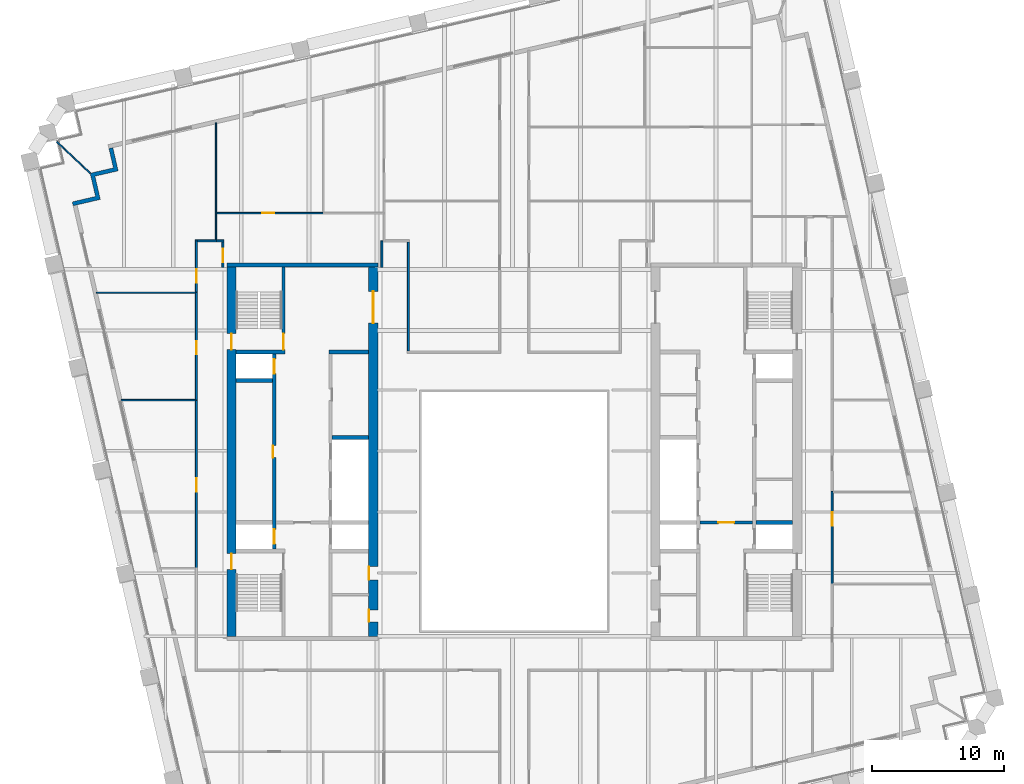
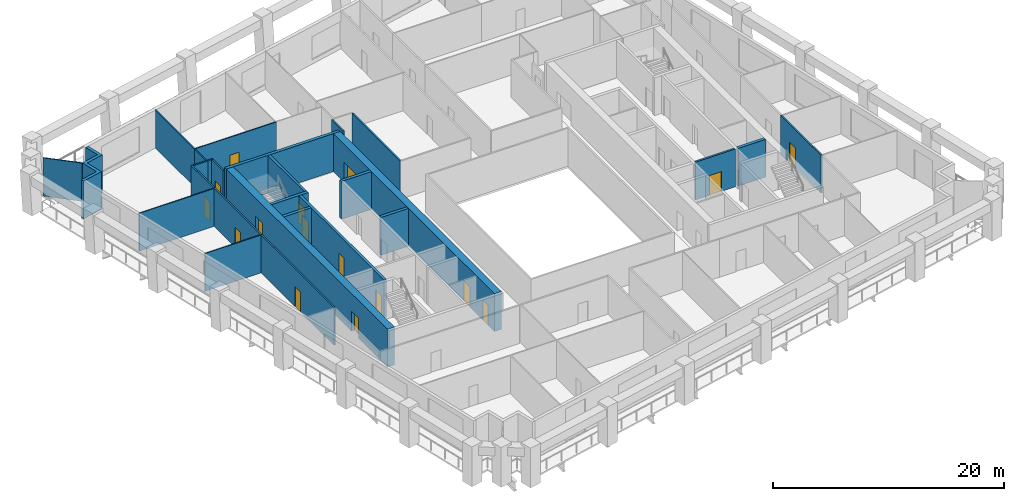
# One storey, part 6 of 10: 27 walls, 16 doors, 16 openings.
"""IFC4 building model written with IfcOpenShell, lengths in metres."""

from ifc_helpers import new_model, si_unit, direction, frame, frame_2d, origin, place, context, subcontext, project, spatial, polyline, rectangle, outline, extrude, material, layer, layer_set, type_object, element, fill, save


model = new_model("IFC4")

# Units and contexts
model_context = context("Model", 3, precision=1e-05, world=origin(), true_north=direction((0.0, 1.0)))
body_context = subcontext(model_context, "Body", "Model", "MODEL_VIEW")
ifc_project = project(units=[si_unit("LENGTHUNIT", "METRE"), si_unit("AREAUNIT", "SQUARE_METRE"), si_unit("VOLUMEUNIT", "CUBIC_METRE"), si_unit("PLANEANGLEUNIT", "RADIAN"), si_unit("MASSUNIT", "GRAM", prefix="KILO")], contexts=[model_context])

# Site, building, storey
site_placement = place(None, origin())
site = spatial("IfcSite", under=ifc_project, at=site_placement, CompositionType="ELEMENT")
building_placement = place(site_placement, origin())
building = spatial("IfcBuilding", under=site, at=building_placement, Name="Ogive Exchange Tower", CompositionType="ELEMENT")
storey_placement = place(building_placement, frame((0.0, 0.0, 180.0)))
storey = spatial("IfcBuildingStorey", under=building, at=storey_placement, Name="L39", CompositionType="ELEMENT", Elevation=180.0)

# Wall
ifc_material_1 = material(Name="Gypsum board partition")
ifc_layer_1 = layer(ifc_material_1, 0.300048828125)
ifc_layer_set_1 = layer_set([ifc_layer_1], Name="Core room partition 300 gypsum")
wall_type_1 = type_object("IfcWallType", Name="Core room partition 300 gypsum", PredefinedType="PARTITIONING", material=ifc_layer_set_1)
wall_1_placement = place(storey_placement, frame((-14.0, 19.0, 0.0), z_axis=(0.0, 0.0, 1.0), x_axis=(1.0, 0.0, 0.0)))
element("IfcWall", 1, at=wall_1_placement, inside=storey, type_object=wall_type_1, Name="W row B room end wall 7", PredefinedType="PARTITIONING", context=body_context, shape_type="SweptSolid", body=[
    extrude(rectangle(XDim=3.0, YDim=0.300048828125, at=frame_2d((1.5, 0.0))), origin(), (0.0, 0.0, 1.0), 4.0),
])

# Wall, opening, door
ifc_material_2 = material(Name="Fire partition EI 60 150")
ifc_layer_2 = layer(ifc_material_2, 0.14990234375)
ifc_layer_set_2 = layer_set([ifc_layer_2], Name="Fire partition EI 60 150")
wall_type_2 = type_object("IfcWallType", Name="Fire partition EI 60 150", PredefinedType="PARTITIONING", material=ifc_layer_set_2)
wall_2_placement = place(storey_placement, frame((-24.0, 2.68994140625, 0.0), z_axis=(0.0, 0.0, 1.0), x_axis=(0.0, 1.0, 0.0)))
wall_2 = element("IfcWall", 2, at=wall_2_placement, inside=storey, type_object=wall_type_2, Name="L39-PWL-003", PredefinedType="PARTITIONING", context=body_context, shape_type="SweptSolid", body=[
    extrude(rectangle(XDim=12.739990234375, YDim=0.14990234375, at=frame_2d((6.3701171875, 0.0))), origin(), (0.0, 0.0, 1.0), 4.0),
])
opening_1_placement = place(wall_2_placement, frame((5.7900390625, 0.0, 0.0)))
opening_1 = element("IfcOpeningElement", 3, at=opening_1_placement, cuts=wall_2, Name="Opening L39-I10", PredefinedType="OPENING", context=body_context, shape_type="SweptSolid", body=[
    extrude(rectangle(XDim=1.0, YDim=2.10009765625, at=frame_2d((0.5, 1.050048828125))), frame((0.0, 0.0849609375, 0.0), z_axis=(0.0, -1.0, 0.0), x_axis=(1.0, 0.0, 0.0)), (0.0, 0.0, 1.0), 0.169921875),
])
ifc_material_3 = material(Name="Fire door FD 30S 1000 x 2100")
door_type_1 = type_object("IfcDoorType", Name="Fire door FD 30S 1000 x 2100", OperationType="NOTDEFINED", PredefinedType="DOOR", material=ifc_material_3)
door_1_placement = place(opening_1_placement, origin())
door_1 = element("IfcDoor", 4, at=door_1_placement, inside=storey, type_object=door_type_1, Name="L39-IDR-010", ObjectType="DT3", OperationType="SINGLE_SWING_LEFT", OverallHeight=2.10009765625, OverallWidth=1.0, PredefinedType="DOOR", context=body_context, shape_type="SweptSolid", body=[
    extrude(rectangle(XDim=1.0, YDim=2.10009765625, at=frame_2d((0.5, 1.050048828125))), frame((0.0, 0.02490234375, 0.0), z_axis=(0.0, -1.0, 0.0), x_axis=(1.0, 0.0, 0.0)), (0.0, 0.0, 1.0), 0.050048828125),
])
fill(opening_1, door_1)

wall_3_placement = place(storey_placement, frame((-24.0, 15.3798828125, 0.0), z_axis=(0.0, 0.0, 1.0), x_axis=(0.0, 1.0, 0.0)))
wall_3 = element("IfcWall", 5, at=wall_3_placement, inside=storey, type_object=wall_type_2, Name="L39-PWL-005", PredefinedType="PARTITIONING", context=body_context, shape_type="SweptSolid", body=[
    extrude(rectangle(XDim=8.16015625, YDim=0.14990234375, at=frame_2d((4.080078125, 0.0))), origin(), (0.0, 0.0, 1.0), 4.0),
])
opening_2_placement = place(wall_3_placement, frame((3.4599609375, 0.0, 0.0)))
opening_2 = element("IfcOpeningElement", 6, at=opening_2_placement, cuts=wall_3, Name="Opening L39-I09", PredefinedType="OPENING", context=body_context, shape_type="SweptSolid", body=[
    extrude(rectangle(XDim=1.0, YDim=2.10009765625, at=frame_2d((0.5, 1.050048828125))), frame((0.0, 0.0849609375, 0.0), z_axis=(0.0, -1.0, 0.0), x_axis=(1.0, 0.0, 0.0)), (0.0, 0.0, 1.0), 0.169921875),
])
door_2_placement = place(opening_2_placement, origin())
door_2 = element("IfcDoor", 7, at=door_2_placement, inside=storey, type_object=door_type_1, Name="L39-IDR-009", ObjectType="DT3", OperationType="SINGLE_SWING_RIGHT", OverallHeight=2.10009765625, OverallWidth=1.0, PredefinedType="DOOR", context=body_context, shape_type="SweptSolid", body=[
    extrude(rectangle(XDim=1.0, YDim=2.10009765625, at=frame_2d((0.5, 1.050048828125))), frame((0.0, 0.02490234375, 0.0), z_axis=(0.0, -1.0, 0.0), x_axis=(1.0, 0.0, 0.0)), (0.0, 0.0, 1.0), 0.050048828125),
])
fill(opening_2, door_2)

wall_4_placement = place(storey_placement, frame((-24.0, 23.5400390625, 0.0), z_axis=(0.0, 0.0, 1.0), x_axis=(0.0, 1.0, 0.0)))
wall_4 = element("IfcWall", 8, at=wall_4_placement, inside=storey, type_object=wall_type_2, Name="L39-PWL-007", PredefinedType="PARTITIONING", context=body_context, shape_type="SweptSolid", body=[
    extrude(rectangle(XDim=3.93505859375, YDim=0.14990234375, at=frame_2d((1.967529296875, 0.0))), origin(), (0.0, 0.0, 1.0), 4.0),
])
opening_3_placement = place(wall_4_placement, frame((0.7099609375, 0.0, 0.0)))
opening_3 = element("IfcOpeningElement", 9, at=opening_3_placement, cuts=wall_4, Name="Opening L39-I08", PredefinedType="OPENING", context=body_context, shape_type="SweptSolid", body=[
    extrude(rectangle(XDim=1.0, YDim=2.10009765625, at=frame_2d((0.5, 1.050048828125))), frame((0.0, 0.0849609375, 0.0), z_axis=(0.0, -1.0, 0.0), x_axis=(1.0, 0.0, 0.0)), (0.0, 0.0, 1.0), 0.169921875),
])
door_3_placement = place(opening_3_placement, origin())
door_3 = element("IfcDoor", 10, at=door_3_placement, inside=storey, type_object=door_type_1, Name="L39-IDR-008", ObjectType="DT3", OperationType="SINGLE_SWING_RIGHT", OverallHeight=2.10009765625, OverallWidth=1.0, PredefinedType="DOOR", context=body_context, shape_type="SweptSolid", body=[
    extrude(rectangle(XDim=1.0, YDim=2.10009765625, at=frame_2d((0.5, 1.050048828125))), frame((0.0, 0.02490234375, 0.0), z_axis=(0.0, -1.0, 0.0), x_axis=(1.0, 0.0, 0.0)), (0.0, 0.0, 1.0), 0.050048828125),
])
fill(opening_3, door_3)

# Walls
wall_5_placement = place(storey_placement, frame((-23.925048828125, 27.39990234375, 0.0), z_axis=(0.0, 0.0, 1.0), x_axis=(1.0, 0.0, 0.0)))
element("IfcWall", 11, at=wall_5_placement, inside=storey, type_object=wall_type_2, Name="L39-PWL-008", PredefinedType="PARTITIONING", context=body_context, shape_type="SweptSolid", body=[
    extrude(rectangle(XDim=1.455078125, YDim=0.14990234375, at=frame_2d((0.7275390625, 0.0))), origin(), (0.0, 0.0, 1.0), 4.0),
])
wall_6_placement = place(storey_placement, frame((-22.469970703125, 27.39990234375, 0.0), z_axis=(0.0, 0.0, 1.0), x_axis=(1.0, 0.0, 0.0)))
element("IfcWall", 12, at=wall_6_placement, inside=storey, type_object=wall_type_2, Name="L39-PWL-010", PredefinedType="PARTITIONING", context=body_context, shape_type="SweptSolid", body=[
    extrude(rectangle(XDim=0.544921875, YDim=0.14990234375, at=frame_2d((0.2724609375, 0.0))), origin(), (0.0, 0.0, 1.0), 4.0),
])

# Wall, opening, door
wall_7_placement = place(storey_placement, frame((-22.0, 27.324951171875, 0.0), z_axis=(0.0, 0.0, 1.0), x_axis=(0.0, -1.0, 0.0)))
wall_7 = element("IfcWall", 13, at=wall_7_placement, inside=storey, type_object=wall_type_2, Name="L39-PWL-013", PredefinedType="PARTITIONING", context=body_context, shape_type="SweptSolid", body=[
    extrude(rectangle(XDim=1.925048828125, YDim=0.14990234375, at=frame_2d((0.96240234375, 0.0))), origin(), (0.0, 0.0, 1.0), 4.0),
])
opening_4_placement = place(wall_7_placement, frame((0.52490234375, 0.0, 0.0)))
opening_4 = element("IfcOpeningElement", 14, at=opening_4_placement, cuts=wall_7, Name="Opening L39-I05", PredefinedType="OPENING", context=body_context, shape_type="SweptSolid", body=[
    extrude(rectangle(XDim=1.0, YDim=2.10009765625, at=frame_2d((0.5, 1.050048828125))), frame((0.0, 0.0849609375, 0.0), z_axis=(0.0, -1.0, 0.0), x_axis=(1.0, 0.0, 0.0)), (0.0, 0.0, 1.0), 0.169921875),
])
door_4_placement = place(opening_4_placement, origin())
door_4 = element("IfcDoor", 15, at=door_4_placement, inside=storey, type_object=door_type_1, Name="L39-IDR-005", ObjectType="DT3", OperationType="SINGLE_SWING_RIGHT", OverallHeight=2.10009765625, OverallWidth=1.0, PredefinedType="DOOR", context=body_context, shape_type="SweptSolid", body=[
    extrude(rectangle(XDim=1.0, YDim=2.10009765625, at=frame_2d((0.5, 1.050048828125))), frame((0.0, 0.02490234375, 0.0), z_axis=(0.0, -1.0, 0.0), x_axis=(1.0, 0.0, 0.0)), (0.0, 0.0, 1.0), 0.050048828125),
])
fill(opening_4, door_4)

# Walls
wall_8_placement = place(storey_placement, frame((-10.0, 25.39990234375, 0.0), z_axis=(0.0, 0.0, 1.0), x_axis=(0.0, 1.0, 0.0)))
element("IfcWall", 16, at=wall_8_placement, inside=storey, type_object=wall_type_2, Name="L39-PWL-019", PredefinedType="PARTITIONING", context=body_context, shape_type="SweptSolid", body=[
    extrude(rectangle(XDim=2.0, YDim=0.14990234375, at=frame_2d((1.0, 0.0))), origin(), (0.0, 0.0, 1.0), 4.0),
])
wall_9_placement = place(storey_placement, frame((-8.0, 27.324951171875, 0.0), z_axis=(0.0, 0.0, 1.0), x_axis=(0.0, -1.0, 0.0)))
element("IfcWall", 17, at=wall_9_placement, inside=storey, type_object=wall_type_2, Name="L39-PWL-030", PredefinedType="PARTITIONING", context=body_context, shape_type="SweptSolid", body=[
    extrude(rectangle(XDim=8.25, YDim=0.14990234375, at=frame_2d((4.125, 0.0))), origin(), (0.0, 0.0, 1.0), 4.0),
])

# Wall, opening, door
wall_10_placement = place(storey_placement, frame((24.0, 8.5, 0.0), z_axis=(0.0, 0.0, 1.0), x_axis=(0.0, -1.0, 0.0)))
wall_10 = element("IfcWall", 18, at=wall_10_placement, inside=storey, type_object=wall_type_2, Name="L39-PWL-077", PredefinedType="PARTITIONING", context=body_context, shape_type="SweptSolid", body=[
    extrude(rectangle(XDim=6.989990234375, YDim=0.14990234375, at=frame_2d((3.4951171875, 0.0))), origin(), (0.0, 0.0, 1.0), 4.0),
])
opening_5_placement = place(wall_10_placement, frame((1.590087890625, 0.0, 0.0)))
opening_5 = element("IfcOpeningElement", 19, at=opening_5_placement, cuts=wall_10, Name="Opening L39-I20", PredefinedType="OPENING", context=body_context, shape_type="SweptSolid", body=[
    extrude(rectangle(XDim=1.0, YDim=2.10009765625, at=frame_2d((0.5, 1.050048828125))), frame((0.0, 0.0849609375, 0.0), z_axis=(0.0, -1.0, 0.0), x_axis=(1.0, 0.0, 0.0)), (0.0, 0.0, 1.0), 0.169921875),
])
door_5_placement = place(opening_5_placement, origin())
door_5 = element("IfcDoor", 20, at=door_5_placement, inside=storey, type_object=door_type_1, Name="L39-IDR-020", ObjectType="DT3", OperationType="SINGLE_SWING_RIGHT", OverallHeight=2.10009765625, OverallWidth=1.0, PredefinedType="DOOR", context=body_context, shape_type="SweptSolid", body=[
    extrude(rectangle(XDim=1.0, YDim=2.10009765625, at=frame_2d((0.5, 1.050048828125))), frame((0.0, 0.02490234375, 0.0), z_axis=(0.0, -1.0, 0.0), x_axis=(1.0, 0.0, 0.0)), (0.0, 0.0, 1.0), 0.050048828125),
])
fill(opening_5, door_5)

# Walls
ifc_material_4 = material(Name="Precast concrete C40/50", Category="concrete")
ifc_layer_3 = layer(ifc_material_4, 0.300048828125)
ifc_layer_set_3 = layer_set([ifc_layer_3], Name="Limestone-faced wall 300")
wall_type_3 = type_object("IfcWallType", Name="Limestone-faced wall 300", PredefinedType="STANDARD", material=ifc_layer_set_3)
wall_11_placement = place(storey_placement, origin())
element("IfcWall", 21, at=wall_11_placement, inside=storey, type_object=wall_type_3, Name="External corner wall C3", PredefinedType="STANDARD", context=body_context, shape_type="SweptSolid", body=[
    extrude(outline(polyline([(-31.616943359375, 30.755615234375), (-32.02197265625, 32.509521484375), (-30.26806640625, 32.914306640625), (-30.60546875, 34.3759765625), (-30.31298828125, 34.443359375), (-29.908203125, 32.689697265625), (-31.662109375, 32.28466796875), (-31.257080078125, 30.53076171875), (-33.30322265625, 30.058349609375), (-33.370849609375, 30.3505859375), (-31.616943359375, 30.755615234375)])), origin(), (0.0, 0.0, 1.0), 4.0),
])
ifc_material_5 = material(Name="Laminated safety glass in steel frame", Category="steel")
ifc_layer_4 = layer(ifc_material_5, 0.10009765625)
ifc_layer_set_4 = layer_set([ifc_layer_4], Name="Loggia end screen 100")
wall_type_4 = type_object("IfcWallType", Name="Loggia end screen 100", PredefinedType="STANDARD", material=ifc_layer_set_4)
wall_12_placement = place(storey_placement, frame((-32.02197265625, 32.509521484375, -0.050048828125), z_axis=(0.0, 0.0, 1.0), x_axis=(-0.726757236711, 0.686894401555, 0.0)))
element("IfcWall", 22, at=wall_12_placement, inside=storey, type_object=wall_type_4, Name="Loggia end screen C3", PredefinedType="STANDARD", context=body_context, shape_type="SweptSolid", body=[
    extrude(rectangle(XDim=3.466552734375, YDim=0.10009765625, at=frame_2d((1.7333984375, 0.0))), origin(), (0.0, 0.0, 1.0), 4.050048828125),
])
ifc_material_6 = material(Name="Partition 100 gypsum")
ifc_layer_5 = layer(ifc_material_6, 0.10009765625)
ifc_layer_set_5 = layer_set([ifc_layer_5], Name="Partition 100 gypsum")
wall_type_5 = type_object("IfcWallType", Name="Partition 100 gypsum", PredefinedType="PARTITIONING", material=ifc_layer_set_5)
wall_13_placement = place(storey_placement, frame((-24.074951171875, 15.3798828125, 0.0), z_axis=(0.0, 0.0, 1.0), x_axis=(-1.0, 0.0, 0.0)))
element("IfcWall", 23, at=wall_13_placement, inside=storey, type_object=wall_type_5, Name="L39-PWL-004", PredefinedType="PARTITIONING", context=body_context, shape_type="SweptSolid", body=[
    extrude(rectangle(XDim=5.614013671875, YDim=0.10009765625, at=frame_2d((2.80712890625, 0.0))), origin(), (0.0, 0.0, 1.0), 4.0),
])
wall_14_placement = place(storey_placement, frame((-24.074951171875, 23.489990234375, 0.0), z_axis=(0.0, 0.0, 1.0), x_axis=(-1.0, 0.0, 0.0)))
element("IfcWall", 24, at=wall_14_placement, inside=storey, type_object=wall_type_5, Name="L39-PWL-006", PredefinedType="PARTITIONING", context=body_context, shape_type="SweptSolid", body=[
    extrude(rectangle(XDim=7.487060546875, YDim=0.10009765625, at=frame_2d((3.74365234375, 0.0))), origin(), (0.0, 0.0, 1.0), 4.0),
])
wall_15_placement = place(storey_placement, frame((-22.52001953125, 27.47509765625, 0.0), z_axis=(0.0, 0.0, 1.0), x_axis=(0.0, 1.0, 0.0)))
element("IfcWall", 25, at=wall_15_placement, inside=storey, type_object=wall_type_5, Name="L39-PWL-009", PredefinedType="PARTITIONING", context=body_context, shape_type="SweptSolid", body=[
    extrude(rectangle(XDim=1.974853515625, YDim=0.10009765625, at=frame_2d((0.9873046875, 0.0))), origin(), (0.0, 0.0, 1.0), 4.0),
])
wall_16_placement = place(storey_placement, frame((-22.52001953125, 29.449951171875, 0.0), z_axis=(0.0, 0.0, 1.0), x_axis=(0.0, 1.0, 0.0)))
element("IfcWall", 26, at=wall_16_placement, inside=storey, type_object=wall_type_5, Name="L39-PWL-011", PredefinedType="PARTITIONING", context=body_context, shape_type="SweptSolid", body=[
    extrude(rectangle(XDim=6.875, YDim=0.10009765625, at=frame_2d((3.4375, 0.0))), origin(), (0.0, 0.0, 1.0), 4.0),
])

# Wall, opening, door
wall_17_placement = place(storey_placement, frame((-22.469970703125, 29.5, 0.0), z_axis=(0.0, 0.0, 1.0), x_axis=(1.0, 0.0, 0.0)))
wall_17 = element("IfcWall", 27, at=wall_17_placement, inside=storey, type_object=wall_type_5, Name="L39-PWL-012", PredefinedType="PARTITIONING", context=body_context, shape_type="SweptSolid", body=[
    extrude(rectangle(XDim=8.090087890625, YDim=0.10009765625, at=frame_2d((4.044921875, 0.0))), origin(), (0.0, 0.0, 1.0), 4.0),
])
opening_6_placement = place(wall_17_placement, frame((3.43994140625, 0.0, 0.0)))
opening_6 = element("IfcOpeningElement", 28, at=opening_6_placement, cuts=wall_17, Name="Opening L39-I07", PredefinedType="OPENING", context=body_context, shape_type="SweptSolid", body=[
    extrude(rectangle(XDim=0.89990234375, YDim=2.10009765625, at=frame_2d((0.449951171875, 1.050048828125))), frame((0.0, 0.06005859375, 0.0), z_axis=(0.0, -1.0, 0.0), x_axis=(1.0, 0.0, 0.0)), (0.0, 0.0, 1.0), 0.1201171875),
])
ifc_material_7 = material(Name="Door 900 x 2100")
door_type_2 = type_object("IfcDoorType", Name="Door 900 x 2100", OperationType="NOTDEFINED", PredefinedType="DOOR", material=ifc_material_7)
door_6_placement = place(opening_6_placement, frame((0.89990234375, 0.0, 0.0), z_axis=(0.0, 0.0, 1.0), x_axis=(-1.0, 0.0, 0.0)))
door_6 = element("IfcDoor", 29, at=door_6_placement, inside=storey, type_object=door_type_2, Name="L39-IDR-007", ObjectType="DT1", OperationType="SINGLE_SWING_LEFT", OverallHeight=2.10009765625, OverallWidth=0.89990234375, PredefinedType="DOOR", context=body_context, shape_type="SweptSolid", body=[
    extrude(rectangle(XDim=0.89990234375, YDim=2.10009765625, at=frame_2d((0.449951171875, 1.050048828125))), frame((0.0, 0.02490234375, 0.0), z_axis=(0.0, -1.0, 0.0), x_axis=(1.0, 0.0, 0.0)), (0.0, 0.0, 1.0), 0.050048828125),
])
fill(opening_6, door_6)

ifc_material_8 = material(Name="Concrete C70/85", Category="concrete")
ifc_layer_6 = layer(ifc_material_8, 0.199951171875)
ifc_layer_set_6 = layer_set([ifc_layer_6], Name="RC core wall 200 C70/85")
wall_type_6 = type_object("IfcWallType", Name="RC core wall 200 C70/85", PredefinedType="SHEAR", material=ifc_layer_set_6)
wall_18_placement = place(storey_placement, frame((14.0, 6.142822265625, 0.0), z_axis=(0.0, 0.0, 1.0), x_axis=(1.0, 0.0, 0.0)))
wall_18 = element("IfcWall", 30, at=wall_18_placement, inside=storey, type_object=wall_type_6, Name="E firefighting lobby wall", PredefinedType="SHEAR", context=body_context, shape_type="SweptSolid", body=[
    extrude(rectangle(XDim=4.0, YDim=0.199951171875, at=frame_2d((2.0, 0.0))), origin(), (0.0, 0.0, 1.0), 4.0),
])
opening_7_placement = place(wall_18_placement, frame((1.39990234375, 0.0, 0.0)))
opening_7 = element("IfcOpeningElement", 31, at=opening_7_placement, cuts=wall_18, Name="Opening L39-C27", PredefinedType="OPENING", context=body_context, shape_type="SweptSolid", body=[
    extrude(rectangle(XDim=1.199951171875, YDim=2.10009765625, at=frame_2d((0.60009765625, 1.050048828125))), frame((0.0, 0.10986328125, 0.0), z_axis=(0.0, -1.0, 0.0), x_axis=(1.0, 0.0, 0.0)), (0.0, 0.0, 1.0), 0.219970703125),
])
ifc_material_9 = material(Name="Steel fire door", Category="steel")
door_type_3 = type_object("IfcDoorType", Name="Firefighting lobby door FD60 1200 x 2100", OperationType="NOTDEFINED", PredefinedType="DOOR", material=ifc_material_9)
door_7_placement = place(opening_7_placement, frame((1.199951171875, 0.0, 0.0), z_axis=(0.0, 0.0, 1.0), x_axis=(-1.0, 0.0, 0.0)))
door_7 = element("IfcDoor", 32, at=door_7_placement, inside=storey, type_object=door_type_3, Name="Firefighting lobby door", ObjectType="CD3", OperationType="SINGLE_SWING_RIGHT", OverallHeight=2.10009765625, OverallWidth=1.199951171875, PredefinedType="DOOR", context=body_context, shape_type="SweptSolid", body=[
    extrude(rectangle(XDim=1.199951171875, YDim=2.10009765625, at=frame_2d((0.60009765625, 1.050048828125))), frame((0.0, 0.02490234375, 0.0), z_axis=(0.0, -1.0, 0.0), x_axis=(1.0, 0.0, 0.0)), (0.0, 0.0, 1.0), 0.050048828125),
])
fill(opening_7, door_7)

ifc_layer_7 = layer(ifc_material_8, 0.25)
ifc_layer_set_7 = layer_set([ifc_layer_7], Name="RC core wall 250 C70/85")
wall_type_7 = type_object("IfcWallType", Name="RC core wall 250 C70/85", PredefinedType="SHEAR", material=ifc_layer_set_7)
wall_19_placement = place(storey_placement, frame((-17.425048828125, 19.14990234375, 0.0), z_axis=(0.0, 0.0, 1.0), x_axis=(0.0, 1.0, 0.0)))
wall_19 = element("IfcWall", 33, at=wall_19_placement, inside=storey, type_object=wall_type_7, Name="W stair N front wall", PredefinedType="SHEAR", context=body_context, shape_type="SweptSolid", body=[
    extrude(rectangle(XDim=6.300048828125, YDim=0.25, at=frame_2d((3.14990234375, 0.0))), origin(), (0.0, 0.0, 1.0), 4.0),
])
opening_8_placement = place(wall_19_placement, frame((0.050048828125, 0.0, 0.0)))
opening_8 = element("IfcOpeningElement", 34, at=opening_8_placement, cuts=wall_19, Name="Opening L39-C13", PredefinedType="OPENING", context=body_context, shape_type="SweptSolid", body=[
    extrude(rectangle(XDim=1.199951171875, YDim=2.10009765625, at=frame_2d((0.60009765625, 1.050048828125))), frame((0.0, 0.135009765625, 0.0), z_axis=(0.0, -1.0, 0.0), x_axis=(1.0, 0.0, 0.0)), (0.0, 0.0, 1.0), 0.27001953125),
])
door_type_4 = type_object("IfcDoorType", Name="Stair door FD90 1200 x 2100", OperationType="NOTDEFINED", PredefinedType="DOOR", material=ifc_material_9)
door_8_placement = place(opening_8_placement, origin())
door_8 = element("IfcDoor", 35, at=door_8_placement, inside=storey, type_object=door_type_4, Name="Stair door", ObjectType="CD5", OperationType="SINGLE_SWING_RIGHT", OverallHeight=2.10009765625, OverallWidth=1.199951171875, PredefinedType="DOOR", context=body_context, shape_type="SweptSolid", body=[
    extrude(rectangle(XDim=1.199951171875, YDim=2.10009765625, at=frame_2d((0.60009765625, 1.050048828125))), frame((0.0, 0.02490234375, 0.0), z_axis=(0.0, -1.0, 0.0), x_axis=(1.0, 0.0, 0.0)), (0.0, 0.0, 1.0), 0.050048828125),
])
fill(opening_8, door_8)

# Wall, openings, doors
wall_20_placement = place(storey_placement, frame((-18.125, 4.14990234375, 0.0), z_axis=(0.0, 0.0, 1.0), x_axis=(0.0, 1.0, 0.0)))
wall_20 = element("IfcWall", 36, at=wall_20_placement, inside=storey, type_object=wall_type_7, Name="W row A front wall", PredefinedType="SHEAR", context=body_context, shape_type="SweptSolid", body=[
    extrude(rectangle(XDim=14.7001953125, YDim=0.25, at=frame_2d((7.35009765625, 0.0))), origin(), (0.0, 0.0, 1.0), 4.0),
])
opening_9_placement = place(wall_20_placement, frame((6.89990234375, 0.0, 0.0)))
opening_9 = element("IfcOpeningElement", 37, at=opening_9_placement, cuts=wall_20, Name="Opening L39-C01", PredefinedType="OPENING", context=body_context, shape_type="SweptSolid", body=[
    extrude(rectangle(XDim=0.89990234375, YDim=2.10009765625, at=frame_2d((0.449951171875, 1.050048828125))), frame((0.0, 0.135009765625, 0.0), z_axis=(0.0, -1.0, 0.0), x_axis=(1.0, 0.0, 0.0)), (0.0, 0.0, 1.0), 0.27001953125),
])
opening_10_placement = place(wall_20_placement, frame((0.371337890625, 0.0, 0.0)))
opening_10 = element("IfcOpeningElement", 38, at=opening_10_placement, cuts=wall_20, Name="Opening L39-C02", PredefinedType="OPENING", context=body_context, shape_type="SweptSolid", body=[
    extrude(rectangle(XDim=1.10009765625, YDim=2.10009765625, at=frame_2d((0.550048828125, 1.050048828125))), frame((0.0, 0.135009765625, 0.0), z_axis=(0.0, -1.0, 0.0), x_axis=(1.0, 0.0, 0.0)), (0.0, 0.0, 1.0), 0.27001953125),
])
opening_11_placement = place(wall_20_placement, frame((13.228515625, 0.0, 0.0)))
opening_11 = element("IfcOpeningElement", 39, at=opening_11_placement, cuts=wall_20, Name="Opening L39-C03", PredefinedType="OPENING", context=body_context, shape_type="SweptSolid", body=[
    extrude(rectangle(XDim=1.10009765625, YDim=2.10009765625, at=frame_2d((0.550048828125, 1.050048828125))), frame((0.0, 0.135009765625, 0.0), z_axis=(0.0, -1.0, 0.0), x_axis=(1.0, 0.0, 0.0)), (0.0, 0.0, 1.0), 0.27001953125),
])
ifc_material_10 = material(Name="Stainless steel", Category="steel")
door_type_5 = type_object("IfcDoorType", Name="Lift landing door FD90 1100 x 2100", OperationType="SLIDING_TO_LEFT", PredefinedType="DOOR", material=ifc_material_10)
door_9_placement = place(opening_10_placement, origin())
door_9 = element("IfcDoor", 40, at=door_9_placement, inside=storey, type_object=door_type_5, Name="Lift landing door FF1", ObjectType="LD", OperationType="SLIDING_TO_LEFT", OverallHeight=2.10009765625, OverallWidth=1.10009765625, PredefinedType="DOOR", context=body_context, shape_type="SweptSolid", body=[
    extrude(rectangle(XDim=1.10009765625, YDim=2.10009765625, at=frame_2d((0.550048828125, 1.050048828125))), frame((0.0, 0.02490234375, 0.0), z_axis=(0.0, -1.0, 0.0), x_axis=(1.0, 0.0, 0.0)), (0.0, 0.0, 1.0), 0.050048828125),
])
fill(opening_10, door_9)
door_10_placement = place(opening_11_placement, origin())
door_10 = element("IfcDoor", 41, at=door_10_placement, inside=storey, type_object=door_type_5, Name="Lift landing door W-SH2", ObjectType="LD", OperationType="SLIDING_TO_LEFT", OverallHeight=2.10009765625, OverallWidth=1.10009765625, PredefinedType="DOOR", context=body_context, shape_type="SweptSolid", body=[
    extrude(rectangle(XDim=1.10009765625, YDim=2.10009765625, at=frame_2d((0.550048828125, 1.050048828125))), frame((0.0, 0.02490234375, 0.0), z_axis=(0.0, -1.0, 0.0), x_axis=(1.0, 0.0, 0.0)), (0.0, 0.0, 1.0), 0.050048828125),
])
fill(opening_11, door_10)
door_type_6 = type_object("IfcDoorType", Name="Riser door FD60 900 x 2100", OperationType="NOTDEFINED", PredefinedType="DOOR", material=ifc_material_9)
door_11_placement = place(opening_9_placement, origin())
door_11 = element("IfcDoor", 42, at=door_11_placement, inside=storey, type_object=door_type_6, Name="Riser door", ObjectType="CD2", OperationType="SINGLE_SWING_RIGHT", OverallHeight=2.10009765625, OverallWidth=0.89990234375, PredefinedType="DOOR", context=body_context, shape_type="SweptSolid", body=[
    extrude(rectangle(XDim=0.89990234375, YDim=2.10009765625, at=frame_2d((0.449951171875, 1.050048828125))), frame((0.0, 0.125, 0.0), z_axis=(0.0, -1.0, 0.0), x_axis=(1.0, 0.0, 0.0)), (0.0, 0.0, 1.0), 0.050048828125),
])
fill(opening_9, door_11)

# Walls
ifc_layer_8 = layer(ifc_material_8, 0.300048828125)
ifc_layer_set_8 = layer_set([ifc_layer_8], Name="RC core wall 300 C70/85")
wall_type_8 = type_object("IfcWallType", Name="RC core wall 300 C70/85", PredefinedType="SHEAR", material=ifc_layer_set_8)
wall_21_placement = place(storey_placement, frame((-21.699951171875, 25.60009765625, 0.0), z_axis=(0.0, 0.0, 1.0), x_axis=(1.0, 0.0, 0.0)))
element("IfcWall", 43, at=wall_21_placement, inside=storey, type_object=wall_type_8, Name="W north end wall", PredefinedType="SHEAR", context=body_context, shape_type="SweptSolid", body=[
    extrude(rectangle(XDim=11.39990234375, YDim=0.300048828125, at=frame_2d((5.699951171875, 0.0))), origin(), (0.0, 0.0, 1.0), 4.0),
])
wall_22_placement = place(storey_placement, frame((-21.0, 19.0, 0.0), z_axis=(0.0, 0.0, 1.0), x_axis=(1.0, 0.0, 0.0)))
element("IfcWall", 44, at=wall_22_placement, inside=storey, type_object=wall_type_8, Name="W stair N south wall", PredefinedType="SHEAR", context=body_context, shape_type="SweptSolid", body=[
    extrude(rectangle(XDim=3.699951171875, YDim=0.300048828125, at=frame_2d((1.85009765625, 0.0))), origin(), (0.0, 0.0, 1.0), 4.0),
])
for number, where, z_axis, x_axis, name in (
    (45, (-21.0, 16.857177734375, 0.0), (0.0, 0.0, 1.0), (1.0, 0.0, 0.0), "W row A divider 6"),
    (46, (-13.75, 12.5712890625, 0.0), (0.0, 0.0, 1.0), (1.0, 0.0, 0.0), "W row B divider 4"),
    (47, (18.25, 6.142822265625, 0.0), (0.0, 0.0, 1.0), (1.0, 0.0, 0.0), "E row A divider 1"),
):
    element("IfcWall", number, at=place(storey_placement, frame(where, z_axis=z_axis, x_axis=x_axis)), inside=storey, type_object=wall_type_8, Name=name, PredefinedType="SHEAR", context=body_context, shape_type="SweptSolid", body=[
        extrude(rectangle(XDim=2.75, YDim=0.300048828125, at=frame_2d((1.375, 0.0))), origin(), (0.0, 0.0, 1.0), 4.0),
    ])

# Wall, openings, doors
ifc_layer_9 = layer(ifc_material_8, 0.699951171875)
ifc_layer_set_9 = layer_set([ifc_layer_9], Name="RC core wall 700 C70/85")
wall_type_9 = type_object("IfcWallType", Name="RC core wall 700 C70/85", PredefinedType="SHEAR", material=ifc_layer_set_9)
wall_23_placement = place(storey_placement, frame((-21.35009765625, -2.449951171875, 0.0), z_axis=(0.0, 0.0, 1.0), x_axis=(0.0, 1.0, 0.0)))
wall_23 = element("IfcWall", 48, at=wall_23_placement, inside=storey, type_object=wall_type_9, Name="W outer wall", PredefinedType="SHEAR", context=body_context, shape_type="SweptSolid", body=[
    extrude(rectangle(XDim=27.89990234375, YDim=0.699951171875, at=frame_2d((13.949951171875, 0.0))), origin(), (0.0, 0.0, 1.0), 4.0),
])
opening_12_placement = place(wall_23_placement, frame((5.050048828125, 0.0, 0.0)))
opening_12 = element("IfcOpeningElement", 49, at=opening_12_placement, cuts=wall_23, Name="Opening L39-C12", PredefinedType="OPENING", context=body_context, shape_type="SweptSolid", body=[
    extrude(rectangle(XDim=1.199951171875, YDim=2.10009765625, at=frame_2d((0.60009765625, 1.050048828125))), frame((0.0, 0.35986328125, 0.0), z_axis=(0.0, -1.0, 0.0), x_axis=(1.0, 0.0, 0.0)), (0.0, 0.0, 1.0), 0.719970703125),
])
opening_13_placement = place(wall_23_placement, frame((21.64990234375, 0.0, 0.0)))
opening_13 = element("IfcOpeningElement", 50, at=opening_13_placement, cuts=wall_23, Name="Opening L39-C14", PredefinedType="OPENING", context=body_context, shape_type="SweptSolid", body=[
    extrude(rectangle(XDim=1.199951171875, YDim=2.10009765625, at=frame_2d((0.60009765625, 1.050048828125))), frame((0.0, 0.35986328125, 0.0), z_axis=(0.0, -1.0, 0.0), x_axis=(1.0, 0.0, 0.0)), (0.0, 0.0, 1.0), 0.719970703125),
])
door_12_placement = place(opening_12_placement, frame((1.199951171875, 0.0, 0.0), z_axis=(0.0, 0.0, 1.0), x_axis=(-1.0, 0.0, 0.0)))
door_12 = element("IfcDoor", 51, at=door_12_placement, inside=storey, type_object=door_type_4, Name="Stair door", ObjectType="CD5", OperationType="SINGLE_SWING_RIGHT", OverallHeight=2.10009765625, OverallWidth=1.199951171875, PredefinedType="DOOR", context=body_context, shape_type="SweptSolid", body=[
    extrude(rectangle(XDim=1.199951171875, YDim=2.10009765625, at=frame_2d((0.60009765625, 1.050048828125))), frame((0.0, 0.02490234375, 0.0), z_axis=(0.0, -1.0, 0.0), x_axis=(1.0, 0.0, 0.0)), (0.0, 0.0, 1.0), 0.050048828125),
])
fill(opening_12, door_12)
door_13_placement = place(opening_13_placement, frame((1.199951171875, 0.0, 0.0), z_axis=(0.0, 0.0, 1.0), x_axis=(-1.0, 0.0, 0.0)))
door_13 = element("IfcDoor", 52, at=door_13_placement, inside=storey, type_object=door_type_4, Name="Stair door", ObjectType="CD5", OperationType="SINGLE_SWING_LEFT", OverallHeight=2.10009765625, OverallWidth=1.199951171875, PredefinedType="DOOR", context=body_context, shape_type="SweptSolid", body=[
    extrude(rectangle(XDim=1.199951171875, YDim=2.10009765625, at=frame_2d((0.60009765625, 1.050048828125))), frame((0.0, 0.02490234375, 0.0), z_axis=(0.0, -1.0, 0.0), x_axis=(1.0, 0.0, 0.0)), (0.0, 0.0, 1.0), 0.050048828125),
])
fill(opening_13, door_13)

wall_24_placement = place(storey_placement, frame((-10.64990234375, -2.449951171875, 0.0), z_axis=(0.0, 0.0, 1.0), x_axis=(0.0, 1.0, 0.0)))
wall_24 = element("IfcWall", 53, at=wall_24_placement, inside=storey, type_object=wall_type_9, Name="W inner wall", PredefinedType="SHEAR", context=body_context, shape_type="SweptSolid", body=[
    extrude(rectangle(XDim=27.89990234375, YDim=0.699951171875, at=frame_2d((13.949951171875, 0.0))), origin(), (0.0, 0.0, 1.0), 4.0),
])
opening_14_placement = place(wall_24_placement, frame((23.64990234375, 0.0, 0.0)))
opening_14 = element("IfcOpeningElement", 54, at=opening_14_placement, cuts=wall_24, Name="Opening L39-C10", PredefinedType="OPENING", context=body_context, shape_type="SweptSolid", body=[
    extrude(rectangle(XDim=2.39990234375, YDim=2.10009765625, at=frame_2d((1.199951171875, 1.050048828125))), frame((0.0, 0.35986328125, 0.0), z_axis=(0.0, -1.0, 0.0), x_axis=(1.0, 0.0, 0.0)), (0.0, 0.0, 1.0), 0.719970703125),
])
opening_15_placement = place(wall_24_placement, frame((1.08740234375, 0.0, 0.0)))
opening_15 = element("IfcOpeningElement", 55, at=opening_15_placement, cuts=wall_24, Name="Opening L39-C15", PredefinedType="OPENING", context=body_context, shape_type="SweptSolid", body=[
    extrude(rectangle(XDim=0.89990234375, YDim=2.10009765625, at=frame_2d((0.449951171875, 1.050048828125))), frame((0.0, 0.35986328125, 0.0), z_axis=(0.0, -1.0, 0.0), x_axis=(1.0, 0.0, 0.0)), (0.0, 0.0, 1.0), 0.719970703125),
])
opening_16_placement = place(wall_24_placement, frame((4.262451171875, 0.0, 0.0)))
opening_16 = element("IfcOpeningElement", 56, at=opening_16_placement, cuts=wall_24, Name="Opening L39-C16", PredefinedType="OPENING", context=body_context, shape_type="SweptSolid", body=[
    extrude(rectangle(XDim=1.0, YDim=2.10009765625, at=frame_2d((0.5, 1.050048828125))), frame((0.0, 0.35986328125, 0.0), z_axis=(0.0, -1.0, 0.0), x_axis=(1.0, 0.0, 0.0)), (0.0, 0.0, 1.0), 0.719970703125),
])
ifc_material_11 = material(Name="Timber fire door", Category="wood")
door_type_7 = type_object("IfcDoorType", Name="Accessible WC door FD30S 1000 x 2100", OperationType="NOTDEFINED", PredefinedType="DOOR", material=ifc_material_11)
door_14_placement = place(opening_16_placement, origin())
door_14 = element("IfcDoor", 57, at=door_14_placement, inside=storey, type_object=door_type_7, Name="Accessible WC door", ObjectType="CD7", OperationType="SINGLE_SWING_RIGHT", OverallHeight=2.10009765625, OverallWidth=1.0, PredefinedType="DOOR", context=body_context, shape_type="SweptSolid", body=[
    extrude(rectangle(XDim=1.0, YDim=2.10009765625, at=frame_2d((0.5, 1.050048828125))), frame((0.0, 0.35009765625, 0.0), z_axis=(0.0, -1.0, 0.0), x_axis=(1.0, 0.0, 0.0)), (0.0, 0.0, 1.0), 0.050048828125),
])
fill(opening_16, door_14)
door_type_8 = type_object("IfcDoorType", Name="Core room door FD30S 900 x 2100", OperationType="NOTDEFINED", PredefinedType="DOOR", material=ifc_material_11)
door_15_placement = place(opening_15_placement, origin())
door_15 = element("IfcDoor", 58, at=door_15_placement, inside=storey, type_object=door_type_8, Name="Core room door", ObjectType="CD6", OperationType="SINGLE_SWING_RIGHT", OverallHeight=2.10009765625, OverallWidth=0.89990234375, PredefinedType="DOOR", context=body_context, shape_type="SweptSolid", body=[
    extrude(rectangle(XDim=0.89990234375, YDim=2.10009765625, at=frame_2d((0.449951171875, 1.050048828125))), frame((0.0, 0.35009765625, 0.0), z_axis=(0.0, -1.0, 0.0), x_axis=(1.0, 0.0, 0.0)), (0.0, 0.0, 1.0), 0.050048828125),
])
fill(opening_15, door_15)
ifc_material_12 = material(Name="Glazed steel fire door", Category="steel")
door_type_9 = type_object("IfcDoorType", Name="Lift lobby double door FD60 2400 x 2100", OperationType="DOUBLE_DOOR_SINGLE_SWING", PredefinedType="DOOR", material=ifc_material_12)
door_16_placement = place(opening_14_placement, frame((2.39990234375, 0.0, 0.0), z_axis=(0.0, 0.0, 1.0), x_axis=(-1.0, 0.0, 0.0)))
door_16 = element("IfcDoor", 59, at=door_16_placement, inside=storey, type_object=door_type_9, Name="Lift lobby double door", ObjectType="CD4", OperationType="DOUBLE_DOOR_SINGLE_SWING", OverallHeight=2.10009765625, OverallWidth=2.39990234375, PredefinedType="DOOR", context=body_context, shape_type="SweptSolid", body=[
    extrude(rectangle(XDim=2.39990234375, YDim=2.10009765625, at=frame_2d((1.199951171875, 1.050048828125))), frame((0.0, 0.02490234375, 0.0), z_axis=(0.0, -1.0, 0.0), x_axis=(1.0, 0.0, 0.0)), (0.0, 0.0, 1.0), 0.050048828125),
])
fill(opening_14, door_16)

save(model, "model.ifc")
